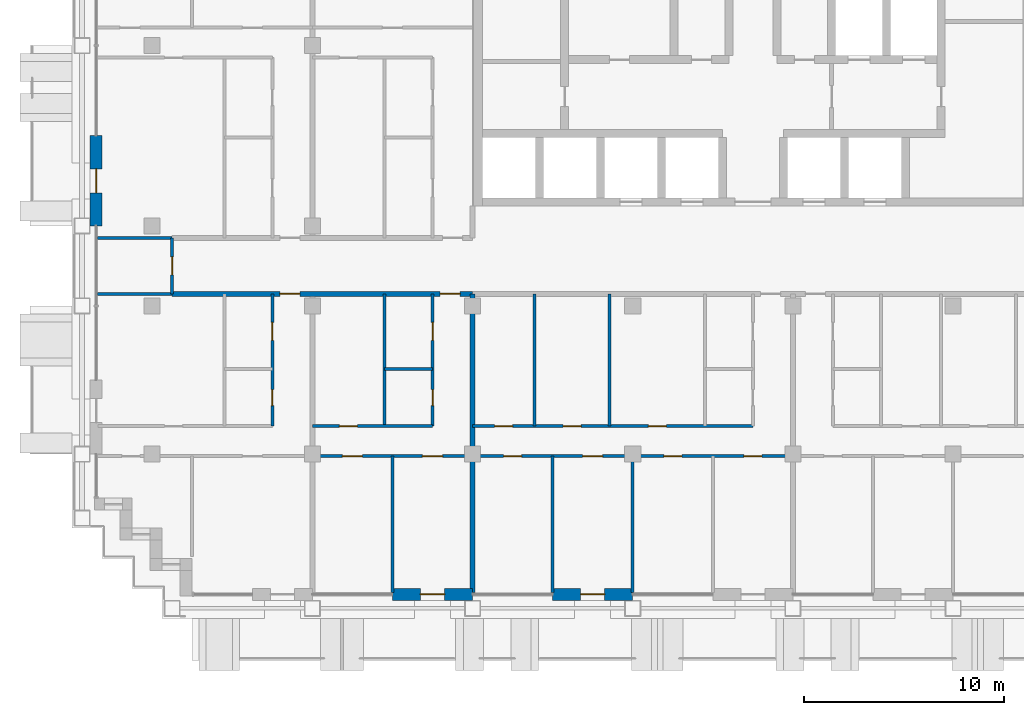
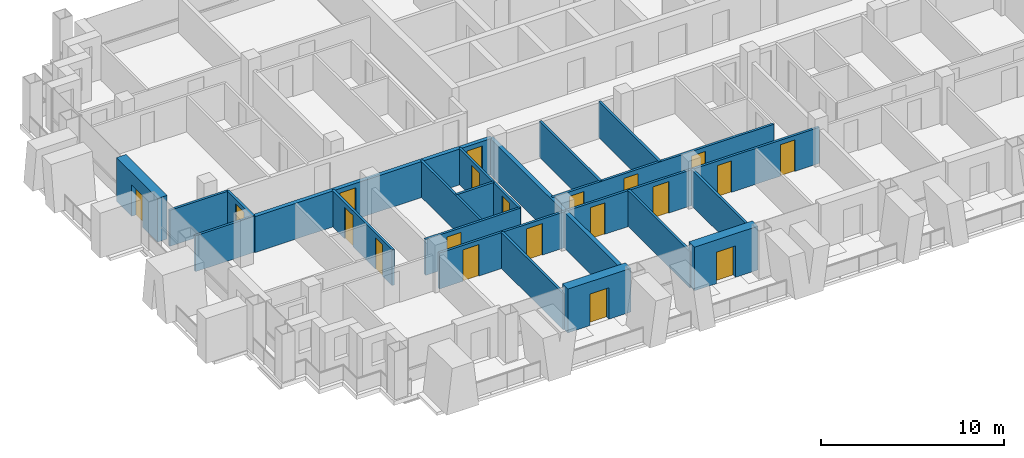
# One storey, part 8 of 18: 21 walls, 20 doors, 20 openings.
"""IFC4 building model written with IfcOpenShell, lengths in metres."""

import ifcopenshell
import ifcopenshell.guid

model = None  # the IFC model being written
_history = None  # IfcOwnerHistory: only IFC2X3 demands one
_inside = {}  # id of a spatial element -> (the spatial element, [elements in it])
_under = {}  # id of a project, library or spatial element -> (it, [spatial elements below it])
_declared = {}  # id of a project -> (the project, [libraries it declares])
_typed = {}  # id of a type object -> (the type object, [elements of that type])
_made_of = {}  # id of a material, layer set ... -> (it, [elements and type objects made of it])


def new_model(schema):
    """Start an empty IFC model of exactly this schema.

    Asked for "IFC4X3", IfcOpenShell would pick the latest addendum, in which some entities
    have other attributes; the version numbers below select the first issue.
    IFC2X3 requires an IfcOwnerHistory on every rooted entity: one is made here for all.
    """
    global model, _history
    if schema == "IFC4X3":
        model = ifcopenshell.file(schema_version=(4, 3, 0, 0))
    else:
        model = ifcopenshell.file(schema=schema)
    _inside.clear()
    _under.clear()
    _declared.clear()
    _typed.clear()
    _made_of.clear()
    _history = None
    if model.schema == "IFC2X3":
        org = make("IfcOrganization", Name="unknown")
        user = make(
            "IfcPersonAndOrganization",
            ThePerson=make("IfcPerson", FamilyName="unknown"),
            TheOrganization=org,
        )
        app = make(
            "IfcApplication",
            ApplicationDeveloper=org,
            Version="unknown",
            ApplicationFullName="unknown",
            ApplicationIdentifier="unknown",
        )
        _history = make(
            "IfcOwnerHistory",
            OwningUser=user,
            OwningApplication=app,
            ChangeAction="ADDED",
            CreationDate=0,
        )
    return model


def make(cls, **values):
    """One entity of the class cls with the attributes given. An attribute that is None is left unset."""
    return model.create_entity(
        cls, **{name: value for name, value in values.items() if value is not None}
    )


def rooted(cls, **values):
    """An entity with a GlobalId (a new one), such as an element, a storey or a relation."""
    return make(cls, GlobalId=ifcopenshell.guid.new(), OwnerHistory=_history, **values)


def si_unit(unit_type, name, prefix=None):
    """IfcSIUnit, for example si_unit("LENGTHUNIT", "METRE", prefix="MILLI")."""
    return make("IfcSIUnit", UnitType=unit_type, Prefix=prefix, Name=name)


def assignment(units):
    """IfcUnitAssignment: the units of a project."""
    return None if units is None else make("IfcUnitAssignment", Units=units)


def point(xyz):
    """IfcCartesianPoint."""
    return None if xyz is None else make("IfcCartesianPoint", Coordinates=xyz)


def direction(xyz):
    """IfcDirection."""
    return None if xyz is None else make("IfcDirection", DirectionRatios=xyz)


def frame(location, z_axis=None, x_axis=None):
    """IfcAxis2Placement3D, a coordinate frame: its origin and axes. An axis left out is left unset."""
    return make(
        "IfcAxis2Placement3D",
        Location=point(location),
        Axis=direction(z_axis),
        RefDirection=direction(x_axis),
    )


def frame_2d(location, x_axis=None):
    """IfcAxis2Placement2D, a coordinate frame in the plane: its origin and x axis."""
    return make(
        "IfcAxis2Placement2D", Location=point(location), RefDirection=direction(x_axis)
    )


def origin():
    """The frame at (0, 0, 0) with its axes left unset."""
    return frame((0.0, 0.0, 0.0))


def place(relative_to, where):
    """IfcLocalPlacement: puts the frame where relative to a parent placement (None: the world)."""
    return make(
        "IfcLocalPlacement", PlacementRelTo=relative_to, RelativePlacement=where
    )


def context(
    kind, dimensions, precision=None, world=None, true_north=None, identifier=None
):
    """IfcGeometricRepresentationContext, for example the 3D "Model" context."""
    return make(
        "IfcGeometricRepresentationContext",
        ContextIdentifier=identifier,
        ContextType=kind,
        CoordinateSpaceDimension=dimensions,
        Precision=precision,
        WorldCoordinateSystem=world,
        TrueNorth=true_north,
    )


def subcontext(parent, identifier, kind, view, scale=None):
    """IfcGeometricRepresentationSubContext, for example "Body" below "Model"."""
    return make(
        "IfcGeometricRepresentationSubContext",
        ContextIdentifier=identifier,
        ContextType=kind,
        ParentContext=parent,
        TargetScale=scale,
        TargetView=view,
    )


def project(units=None, contexts=None):
    """IfcProject with its units and contexts."""
    return rooted(
        "IfcProject",
        Name="project",
        RepresentationContexts=contexts,
        UnitsInContext=assignment(units),
    )


def spatial(cls, under=None, at=None, **own):
    """A site, building, storey or space (cls), placed at a placement, below another one or the project."""
    s = rooted(cls, ObjectPlacement=at, **own)
    if under is not None:
        _under.setdefault(under.id(), (under, []))[1].append(s)
    return s


def profile(cls, at=None, kind="AREA", **sizes):
    """A parametric profile (cls). Its sizes go by their IFC names, for example OverallWidth=200.0."""
    return make(cls, ProfileType=kind, Position=at, **sizes)


def rectangle(**sizes):
    """IfcRectangleProfileDef."""
    return profile("IfcRectangleProfileDef", **sizes)


def extrude(swept, where, along, depth):
    """IfcExtrudedAreaSolid: the profile swept, set in the frame where, extruded along a direction by depth."""
    return make(
        "IfcExtrudedAreaSolid",
        SweptArea=swept,
        Position=where,
        ExtrudedDirection=direction(along),
        Depth=depth,
    )


def shape(context_of_items, identifier, shape_type, items):
    """IfcShapeRepresentation: the items that make up one representation, for example the "Body"."""
    return make(
        "IfcShapeRepresentation",
        ContextOfItems=context_of_items,
        RepresentationIdentifier=identifier,
        RepresentationType=shape_type,
        Items=items,
    )


def material(Name=None, Category=None):
    """IfcMaterial."""
    return make("IfcMaterial", Name=Name, Category=Category)


def layer(
    of_material, thickness, ventilated=None, Name=None, Category=None, Priority=None
):
    """IfcMaterialLayer: one layer of a wall or slab, of a material (None: an air gap)."""
    return make(
        "IfcMaterialLayer",
        Material=of_material,
        LayerThickness=thickness,
        IsVentilated=ventilated,
        Name=Name,
        Category=Category,
        Priority=Priority,
    )


def layer_set(layers, Name=None):
    """IfcMaterialLayerSet."""
    return make("IfcMaterialLayerSet", MaterialLayers=layers, LayerSetName=Name)


def made_of(thing, what):
    """Note that an element or type object is made of a material, layer set ...; save() writes the relation."""
    if what is not None:
        _made_of.setdefault(what.id(), (what, []))[1].append(thing)
    return thing


def type_object(cls, material=None, **own):
    """A type object (cls), such as IfcWallType, which elements share."""
    return made_of(rooted(cls, **own), material)


def element(
    cls,
    number,
    at=None,
    inside=None,
    cuts=None,
    type_object=None,
    material=None,
    context=None,
    identifier="Body",
    shape_type=None,
    held_by="IfcProductDefinitionShape",
    body=None,
    shapes=None,
    **own,
):
    """One element of the class cls, such as IfcWall. Its Tag is "e" and its number.

    at: its placement. inside: the storey or other place that contains it. cuts: it is an
    opening in that element (IfcRelVoidsElement). A single representation is given by context,
    identifier, shape_type and body (its items); several are given by shapes. held_by: the class
    of the entity that holds the representations. save() writes the other relations.
    """
    e = rooted(cls, Tag="e%d" % number, ObjectPlacement=at, **own)
    if body is not None:
        shapes = [shape(context, identifier, shape_type, body)]
    if shapes is not None:
        e.Representation = make(held_by, Representations=shapes)
    if inside is not None:
        _inside.setdefault(inside.id(), (inside, []))[1].append(e)
    if cuts is not None:
        rooted(
            "IfcRelVoidsElement", RelatingBuildingElement=cuts, RelatedOpeningElement=e
        )
    if type_object is not None:
        _typed.setdefault(type_object.id(), (type_object, []))[1].append(e)
    return made_of(e, material)


def fill(opening, filler):
    """IfcRelFillsElement: the door or window that sits in an opening."""
    return rooted(
        "IfcRelFillsElement",
        RelatingOpeningElement=opening,
        RelatedBuildingElement=filler,
    )


def aggregate(whole, parts):
    """IfcRelAggregates: a whole, such as a stair, and the parts it consists of."""
    return rooted("IfcRelAggregates", RelatingObject=whole, RelatedObjects=parts)


def save(model, path):
    """Write the relations noted so far, then the file.

    IfcRelAggregates (storeys below a building ...), IfcRelContainedInSpatialStructure (elements
    in a storey), IfcRelDefinesByType, IfcRelAssociatesMaterial and IfcRelDeclares: one each for
    every whole, place, type object, material and project.
    """
    for whole, parts in _under.values():
        aggregate(whole, parts)
    for where, things in _inside.values():
        rooted(
            "IfcRelContainedInSpatialStructure",
            RelatedElements=things,
            RelatingStructure=where,
        )
    for kind, things in _typed.values():
        rooted("IfcRelDefinesByType", RelatedObjects=things, RelatingType=kind)
    for what, things in _made_of.values():
        rooted("IfcRelAssociatesMaterial", RelatedObjects=things, RelatingMaterial=what)
    for by, libraries in _declared.values():
        rooted("IfcRelDeclares", RelatingContext=by, RelatedDefinitions=libraries)
    model.write(path)


model = new_model("IFC4")

# Units and contexts
model_context = context("Model", 3, precision=1e-05, world=origin(), true_north=direction((0.0, 1.0)))
body_context = subcontext(model_context, "Body", "Model", "MODEL_VIEW")
ifc_project = project(units=[si_unit("LENGTHUNIT", "METRE"), si_unit("AREAUNIT", "SQUARE_METRE"), si_unit("VOLUMEUNIT", "CUBIC_METRE"), si_unit("PLANEANGLEUNIT", "RADIAN"), si_unit("MASSUNIT", "GRAM", prefix="KILO")], contexts=[model_context])

# Site, building, storey
site_placement = place(None, origin())
site = spatial("IfcSite", under=ifc_project, at=site_placement, CompositionType="ELEMENT")
building_placement = place(site_placement, origin())
building = spatial("IfcBuilding", under=site, at=building_placement, Name="Vidyagriha Tower", CompositionType="ELEMENT")
storey_placement = place(building_placement, frame((0.0, 0.0, 123.0)))
storey = spatial("IfcBuildingStorey", under=building, at=storey_placement, Name="L31", CompositionType="ELEMENT", Elevation=123.0)

# Wall, opening, door
ifc_material_1 = material(Name="Precast concrete C40/50 with brick facing", Category="concrete")
ifc_layer_1 = layer(ifc_material_1, 0.60009765625)
ifc_layer_set_1 = layer_set([ifc_layer_1], Name="Precast concrete C40/50 with brick facing")
wall_type_1 = type_object("IfcWallType", Name="Brick-faced precast wall 600", PredefinedType="STANDARD", material=ifc_layer_set_1)
wall_1_placement = place(storey_placement, frame((-32.800048828125, 6.5, 0.0), z_axis=(0.0, 0.0, 1.0), x_axis=(0.0, -1.0, 0.0)))
wall_1 = element("IfcWall", 1, at=wall_1_placement, inside=storey, type_object=wall_type_1, Name="Brick door bay wall L31 R16.3", PredefinedType="STANDARD", context=body_context, shape_type="SweptSolid", body=[
    extrude(rectangle(XDim=4.5, YDim=0.60009765625, at=frame_2d((2.25, 0.0))), origin(), (0.0, 0.0, 1.0), 2.919921875),
])
opening_1_placement = place(wall_1_placement, frame((1.64990234375, 0.0, 0.0)))
opening_1 = element("IfcOpeningElement", 2, at=opening_1_placement, cuts=wall_1, Name="Opening D31-73", PredefinedType="OPENING", context=body_context, shape_type="SweptSolid", body=[
    extrude(rectangle(XDim=1.199951171875, YDim=2.10009765625, at=frame_2d((0.60009765625, 1.050048828125))), frame((0.0, 0.31005859375, 0.0), z_axis=(0.0, -1.0, 0.0), x_axis=(1.0, 0.0, 0.0)), (0.0, 0.0, 1.0), 0.6201171875),
])
ifc_material_2 = material(Name="Aluminium framed glazed sliding door", Category="aluminium")
door_type_1 = type_object("IfcDoorType", Name="Balcony sliding door 1200x2100", OperationType="NOTDEFINED", PredefinedType="DOOR", material=ifc_material_2)
door_1_placement = place(opening_1_placement, origin())
door_1 = element("IfcDoor", 3, at=door_1_placement, inside=storey, type_object=door_type_1, Name="Door D31-73", OperationType="SLIDING_TO_LEFT", OverallHeight=2.10009765625, OverallWidth=1.199951171875, PredefinedType="DOOR", context=body_context, shape_type="SweptSolid", body=[
    extrude(rectangle(XDim=1.199951171875, YDim=2.10009765625, at=frame_2d((0.60009765625, 1.050048828125))), frame((0.0, 0.02490234375, 0.0), z_axis=(0.0, -1.0, 0.0), x_axis=(1.0, 0.0, 0.0)), (0.0, 0.0, 1.0), 0.050048828125),
])
fill(opening_1, door_1)

wall_2_placement = place(storey_placement, frame((-18.0, -16.39990234375, 0.0)))
wall_2 = element("IfcWall", 4, at=wall_2_placement, inside=storey, type_object=wall_type_1, Name="Brick door bay wall L31 R23.4", PredefinedType="STANDARD", context=body_context, shape_type="SweptSolid", body=[
    extrude(rectangle(XDim=4.0, YDim=0.60009765625, at=frame_2d((2.0, 0.0))), origin(), (0.0, 0.0, 1.0), 2.919921875),
])
opening_2_placement = place(wall_2_placement, frame((1.39990234375, 0.0, 0.0)))
opening_2 = element("IfcOpeningElement", 5, at=opening_2_placement, cuts=wall_2, Name="Opening D31-76", PredefinedType="OPENING", context=body_context, shape_type="SweptSolid", body=[
    extrude(rectangle(XDim=1.199951171875, YDim=2.10009765625, at=frame_2d((0.60009765625, 1.050048828125))), frame((0.0, 0.31005859375, 0.0), z_axis=(0.0, -1.0, 0.0), x_axis=(1.0, 0.0, 0.0)), (0.0, 0.0, 1.0), 0.6201171875),
])
door_2_placement = place(opening_2_placement, origin())
door_2 = element("IfcDoor", 6, at=door_2_placement, inside=storey, type_object=door_type_1, Name="Door D31-76", OperationType="SLIDING_TO_LEFT", OverallHeight=2.10009765625, OverallWidth=1.199951171875, PredefinedType="DOOR", context=body_context, shape_type="SweptSolid", body=[
    extrude(rectangle(XDim=1.199951171875, YDim=2.10009765625, at=frame_2d((0.60009765625, 1.050048828125))), frame((0.0, 0.02490234375, 0.0), z_axis=(0.0, -1.0, 0.0), x_axis=(1.0, 0.0, 0.0)), (0.0, 0.0, 1.0), 0.050048828125),
])
fill(opening_2, door_2)

wall_3_placement = place(storey_placement, frame((-10.0, -16.39990234375, 0.0)))
wall_3 = element("IfcWall", 7, at=wall_3_placement, inside=storey, type_object=wall_type_1, Name="Brick door bay wall L31 R23.6", PredefinedType="STANDARD", context=body_context, shape_type="SweptSolid", body=[
    extrude(rectangle(XDim=4.0, YDim=0.60009765625, at=frame_2d((2.0, 0.0))), origin(), (0.0, 0.0, 1.0), 2.919921875),
])
opening_3_placement = place(wall_3_placement, frame((1.39990234375, 0.0, 0.0)))
opening_3 = element("IfcOpeningElement", 8, at=opening_3_placement, cuts=wall_3, Name="Opening D31-77", PredefinedType="OPENING", context=body_context, shape_type="SweptSolid", body=[
    extrude(rectangle(XDim=1.199951171875, YDim=2.10009765625, at=frame_2d((0.60009765625, 1.050048828125))), frame((0.0, 0.31005859375, 0.0), z_axis=(0.0, -1.0, 0.0), x_axis=(1.0, 0.0, 0.0)), (0.0, 0.0, 1.0), 0.6201171875),
])
door_3_placement = place(opening_3_placement, origin())
door_3 = element("IfcDoor", 9, at=door_3_placement, inside=storey, type_object=door_type_1, Name="Door D31-77", OperationType="SLIDING_TO_LEFT", OverallHeight=2.10009765625, OverallWidth=1.199951171875, PredefinedType="DOOR", context=body_context, shape_type="SweptSolid", body=[
    extrude(rectangle(XDim=1.199951171875, YDim=2.10009765625, at=frame_2d((0.60009765625, 1.050048828125))), frame((0.0, 0.02490234375, 0.0), z_axis=(0.0, -1.0, 0.0), x_axis=(1.0, 0.0, 0.0)), (0.0, 0.0, 1.0), 0.050048828125),
])
fill(opening_3, door_3)

# Wall, openings, doors
ifc_material_3 = material(Name="Fired clay brick masonry", Category="masonry")
ifc_layer_2 = layer(ifc_material_3, 0.25)
ifc_layer_set_2 = layer_set([ifc_layer_2], Name="Fired clay brick masonry")
wall_type_2 = type_object("IfcWallType", Name="Fired clay brick corridor wall 250", PredefinedType="PARTITIONING", material=ifc_layer_set_2)
wall_4_placement = place(storey_placement, frame((-14.0, -1.39990234375, 0.0), z_axis=(0.0, 0.0, 1.0), x_axis=(-1.0, 0.0, 0.0)))
wall_4 = element("IfcWall", 10, at=wall_4_placement, inside=storey, type_object=wall_type_2, Name="Wall all-L31-w081", PredefinedType="PARTITIONING", context=body_context, shape_type="SweptSolid", body=[
    extrude(rectangle(XDim=15.0, YDim=0.25, at=frame_2d((7.5, 0.0))), origin(), (0.0, 0.0, 1.0), 2.39990234375),
])
opening_4_placement = place(wall_4_placement, frame((8.617919921875, 0.0, 0.0)))
opening_4 = element("IfcOpeningElement", 11, at=opening_4_placement, cuts=wall_4, Name="Opening D31-18", PredefinedType="OPENING", context=body_context, shape_type="SweptSolid", body=[
    extrude(rectangle(XDim=1.0, YDim=2.10009765625, at=frame_2d((0.5, 1.050048828125))), frame((0.0, 0.135009765625, 0.0), z_axis=(0.0, -1.0, 0.0), x_axis=(1.0, 0.0, 0.0)), (0.0, 0.0, 1.0), 0.27001953125),
])
opening_5_placement = place(wall_4_placement, frame((0.617919921875, 0.0, 0.0)))
opening_5 = element("IfcOpeningElement", 12, at=opening_5_placement, cuts=wall_4, Name="Opening D31-24", PredefinedType="OPENING", context=body_context, shape_type="SweptSolid", body=[
    extrude(rectangle(XDim=1.0, YDim=2.10009765625, at=frame_2d((0.5, 1.050048828125))), frame((0.0, 0.135009765625, 0.0), z_axis=(0.0, -1.0, 0.0), x_axis=(1.0, 0.0, 0.0)), (0.0, 0.0, 1.0), 0.27001953125),
])
ifc_material_4 = material(Name="Fire-rated timber door leaf EI 60", Category="wood")
door_type_2 = type_object("IfcDoorType", Name="Flat entrance fire door 1000x2100", OperationType="NOTDEFINED", PredefinedType="DOOR", material=ifc_material_4)
door_4_placement = place(opening_4_placement, origin())
door_4 = element("IfcDoor", 13, at=door_4_placement, inside=storey, type_object=door_type_2, Name="Door D31-18", OperationType="SINGLE_SWING_LEFT", OverallHeight=2.10009765625, OverallWidth=1.0, PredefinedType="DOOR", context=body_context, shape_type="SweptSolid", body=[
    extrude(rectangle(XDim=1.0, YDim=2.10009765625, at=frame_2d((0.5, 1.050048828125))), frame((0.0, 0.02490234375, 0.0), z_axis=(0.0, -1.0, 0.0), x_axis=(1.0, 0.0, 0.0)), (0.0, 0.0, 1.0), 0.050048828125),
])
fill(opening_4, door_4)
door_5_placement = place(opening_5_placement, origin())
door_5 = element("IfcDoor", 14, at=door_5_placement, inside=storey, type_object=door_type_2, Name="Door D31-24", OperationType="SINGLE_SWING_LEFT", OverallHeight=2.10009765625, OverallWidth=1.0, PredefinedType="DOOR", context=body_context, shape_type="SweptSolid", body=[
    extrude(rectangle(XDim=1.0, YDim=2.10009765625, at=frame_2d((0.5, 1.050048828125))), frame((0.0, 0.02490234375, 0.0), z_axis=(0.0, -1.0, 0.0), x_axis=(1.0, 0.0, 0.0)), (0.0, 0.0, 1.0), 0.050048828125),
])
fill(opening_5, door_5)

# Walls
ifc_material_5 = material(Name="Fired clay brick masonry", Category="masonry")
ifc_layer_3 = layer(ifc_material_5, 0.25)
ifc_layer_set_3 = layer_set([ifc_layer_3], Name="Fired clay brick masonry")
wall_type_3 = type_object("IfcWallType", Name="Fired clay brick demising wall 250", PredefinedType="PARTITIONING", material=ifc_layer_set_3)
wall_5_placement = place(storey_placement, frame((-14.0, -1.39990234375, 0.0), z_axis=(0.0, 0.0, 1.0), x_axis=(0.0, -1.0, 0.0)))
element("IfcWall", 15, at=wall_5_placement, inside=storey, type_object=wall_type_3, Name="Wall all-L31-w046", PredefinedType="PARTITIONING", context=body_context, shape_type="SweptSolid", body=[
    extrude(rectangle(XDim=14.91015625, YDim=0.25, at=frame_2d((7.455078125, 0.0))), origin(), (0.0, 0.0, 1.0), 2.39990234375),
])
ifc_material_6 = material(Name="Gypsum board partition")
ifc_layer_4 = layer(ifc_material_6, 0.14990234375)
ifc_layer_set_4 = layer_set([ifc_layer_4], Name="Gypsum board partition")
wall_type_4 = type_object("IfcWallType", Name="Gypsum board partition 150", PredefinedType="PARTITIONING", material=ifc_layer_set_4)
wall_6_placement = place(storey_placement, frame((-16.0, -5.14990234375, 0.0), z_axis=(0.0, 0.0, 1.0), x_axis=(-1.0, 0.0, 0.0)))
element("IfcWall", 16, at=wall_6_placement, inside=storey, type_object=wall_type_4, Name="Wall all-L31-w016", PredefinedType="PARTITIONING", context=body_context, shape_type="SweptSolid", body=[
    extrude(rectangle(XDim=2.39990234375, YDim=0.14990234375, at=frame_2d((1.199951171875, 0.0))), origin(), (0.0, 0.0, 1.0), 2.39990234375),
])
wall_7_placement = place(storey_placement, frame((-18.39990234375, -8.0, 0.0), z_axis=(0.0, 0.0, 1.0), x_axis=(0.0, 1.0, 0.0)))
element("IfcWall", 17, at=wall_7_placement, inside=storey, type_object=wall_type_4, Name="Wall all-L31-w017", PredefinedType="PARTITIONING", context=body_context, shape_type="SweptSolid", body=[
    extrude(rectangle(XDim=6.60009765625, YDim=0.14990234375, at=frame_2d((3.300048828125, 0.0))), origin(), (0.0, 0.0, 1.0), 2.39990234375),
])

# Wall, opening, door
wall_8_placement = place(storey_placement, frame((-22.0, -8.0, 0.0)))
wall_8 = element("IfcWall", 18, at=wall_8_placement, inside=storey, type_object=wall_type_4, Name="Wall all-L31-w018", PredefinedType="PARTITIONING", context=body_context, shape_type="SweptSolid", body=[
    extrude(rectangle(XDim=6.0, YDim=0.14990234375, at=frame_2d((3.0, 0.0))), origin(), (0.0, 0.0, 1.0), 2.39990234375),
])
opening_6_placement = place(wall_8_placement, frame((1.35009765625, 0.0, 0.0)))
opening_6 = element("IfcOpeningElement", 19, at=opening_6_placement, cuts=wall_8, Name="Opening D31-21", PredefinedType="OPENING", context=body_context, shape_type="SweptSolid", body=[
    extrude(rectangle(XDim=0.89990234375, YDim=2.10009765625, at=frame_2d((0.449951171875, 1.050048828125))), frame((0.0, 0.0849609375, 0.0), z_axis=(0.0, -1.0, 0.0), x_axis=(1.0, 0.0, 0.0)), (0.0, 0.0, 1.0), 0.169921875),
])
ifc_material_7 = material(Name="Timber door leaf", Category="wood")
door_type_3 = type_object("IfcDoorType", Name="Room door 900x2100", OperationType="NOTDEFINED", PredefinedType="DOOR", material=ifc_material_7)
door_6_placement = place(opening_6_placement, origin())
door_6 = element("IfcDoor", 20, at=door_6_placement, inside=storey, type_object=door_type_3, Name="Door D31-21", OperationType="SINGLE_SWING_RIGHT", OverallHeight=2.10009765625, OverallWidth=0.89990234375, PredefinedType="DOOR", context=body_context, shape_type="SweptSolid", body=[
    extrude(rectangle(XDim=0.89990234375, YDim=2.10009765625, at=frame_2d((0.449951171875, 1.050048828125))), frame((0.0, 0.02490234375, 0.0), z_axis=(0.0, -1.0, 0.0), x_axis=(1.0, 0.0, 0.0)), (0.0, 0.0, 1.0), 0.050048828125),
])
fill(opening_6, door_6)

# Wall, openings, doors
wall_9_placement = place(storey_placement, frame((-14.0, -9.5, 0.0), z_axis=(0.0, 0.0, 1.0), x_axis=(-1.0, 0.0, 0.0)))
wall_9 = element("IfcWall", 21, at=wall_9_placement, inside=storey, type_object=wall_type_4, Name="Wall all-L31-w020", PredefinedType="PARTITIONING", context=body_context, shape_type="SweptSolid", body=[
    extrude(rectangle(XDim=8.0, YDim=0.14990234375, at=frame_2d((4.0, 0.0))), origin(), (0.0, 0.0, 1.0), 2.39990234375),
])
opening_7_placement = place(wall_9_placement, frame((5.5, 0.0, 0.0)))
opening_7 = element("IfcOpeningElement", 22, at=opening_7_placement, cuts=wall_9, Name="Opening D31-22", PredefinedType="OPENING", context=body_context, shape_type="SweptSolid", body=[
    extrude(rectangle(XDim=1.0, YDim=2.10009765625, at=frame_2d((0.5, 1.050048828125))), frame((0.0, 0.0849609375, 0.0), z_axis=(0.0, -1.0, 0.0), x_axis=(1.0, 0.0, 0.0)), (0.0, 0.0, 1.0), 0.169921875),
])
opening_8_placement = place(wall_9_placement, frame((1.5, 0.0, 0.0)))
opening_8 = element("IfcOpeningElement", 23, at=opening_8_placement, cuts=wall_9, Name="Opening D31-23", PredefinedType="OPENING", context=body_context, shape_type="SweptSolid", body=[
    extrude(rectangle(XDim=1.0, YDim=2.10009765625, at=frame_2d((0.5, 1.050048828125))), frame((0.0, 0.0849609375, 0.0), z_axis=(0.0, -1.0, 0.0), x_axis=(1.0, 0.0, 0.0)), (0.0, 0.0, 1.0), 0.169921875),
])
ifc_material_8 = material(Name="Timber door leaf", Category="wood")
door_type_4 = type_object("IfcDoorType", Name="Room door 1000x2100", OperationType="NOTDEFINED", PredefinedType="DOOR", material=ifc_material_8)
door_7_placement = place(opening_7_placement, origin())
door_7 = element("IfcDoor", 24, at=door_7_placement, inside=storey, type_object=door_type_4, Name="Door D31-22", OperationType="SINGLE_SWING_RIGHT", OverallHeight=2.10009765625, OverallWidth=1.0, PredefinedType="DOOR", context=body_context, shape_type="SweptSolid", body=[
    extrude(rectangle(XDim=1.0, YDim=2.10009765625, at=frame_2d((0.5, 1.050048828125))), frame((0.0, 0.02490234375, 0.0), z_axis=(0.0, -1.0, 0.0), x_axis=(1.0, 0.0, 0.0)), (0.0, 0.0, 1.0), 0.050048828125),
])
fill(opening_7, door_7)
door_8_placement = place(opening_8_placement, origin())
door_8 = element("IfcDoor", 25, at=door_8_placement, inside=storey, type_object=door_type_4, Name="Door D31-23", OperationType="SINGLE_SWING_RIGHT", OverallHeight=2.10009765625, OverallWidth=1.0, PredefinedType="DOOR", context=body_context, shape_type="SweptSolid", body=[
    extrude(rectangle(XDim=1.0, YDim=2.10009765625, at=frame_2d((0.5, 1.050048828125))), frame((0.0, 0.02490234375, 0.0), z_axis=(0.0, -1.0, 0.0), x_axis=(1.0, 0.0, 0.0)), (0.0, 0.0, 1.0), 0.050048828125),
])
fill(opening_8, door_8)

# Walls
wall_10_placement = place(storey_placement, frame((-18.0, -9.5, 0.0), z_axis=(0.0, 0.0, 1.0), x_axis=(0.0, -1.0, 0.0)))
element("IfcWall", 26, at=wall_10_placement, inside=storey, type_object=wall_type_4, Name="Wall all-L31-w023", PredefinedType="PARTITIONING", context=body_context, shape_type="SweptSolid", body=[
    extrude(rectangle(XDim=6.821044921875, YDim=0.14990234375, at=frame_2d((3.41064453125, 0.0))), origin(), (0.0, 0.0, 1.0), 2.39990234375),
])
for number, where, z_axis, x_axis, name in (
    (27, (-7.14990234375, -8.0, 0.0), (0.0, 0.0, 1.0), (0.0, 1.0, 0.0), "Wall all-L31-w031"),
    (28, (-10.89990234375, -8.0, 0.0), (0.0, 0.0, 1.0), (0.0, 1.0, 0.0), "Wall all-L31-w032"),
):
    element("IfcWall", number, at=place(storey_placement, frame(where, z_axis=z_axis, x_axis=x_axis)), inside=storey, type_object=wall_type_4, Name=name, PredefinedType="PARTITIONING", context=body_context, shape_type="SweptSolid", body=[
        extrude(rectangle(XDim=6.60009765625, YDim=0.14990234375, at=frame_2d((3.300048828125, 0.0))), origin(), (0.0, 0.0, 1.0), 2.39990234375),
    ])

# Wall, openings, doors
wall_11_placement = place(storey_placement, frame((-14.0, -8.0, 0.0)))
wall_11 = element("IfcWall", 29, at=wall_11_placement, inside=storey, type_object=wall_type_4, Name="Wall all-L31-w033", PredefinedType="PARTITIONING", context=body_context, shape_type="SweptSolid", body=[
    extrude(rectangle(XDim=14.0, YDim=0.14990234375, at=frame_2d((7.0, 0.0))), origin(), (0.0, 0.0, 1.0), 2.39990234375),
])
opening_9_placement = place(wall_11_placement, frame((8.77490234375, 0.0, 0.0)))
opening_9 = element("IfcOpeningElement", 30, at=opening_9_placement, cuts=wall_11, Name="Opening D31-27", PredefinedType="OPENING", context=body_context, shape_type="SweptSolid", body=[
    extrude(rectangle(XDim=0.89990234375, YDim=2.10009765625, at=frame_2d((0.449951171875, 1.050048828125))), frame((0.0, 0.0849609375, 0.0), z_axis=(0.0, -1.0, 0.0), x_axis=(1.0, 0.0, 0.0)), (0.0, 0.0, 1.0), 0.169921875),
])
opening_10_placement = place(wall_11_placement, frame((4.52490234375, 0.0, 0.0)))
opening_10 = element("IfcOpeningElement", 31, at=opening_10_placement, cuts=wall_11, Name="Opening D31-28", PredefinedType="OPENING", context=body_context, shape_type="SweptSolid", body=[
    extrude(rectangle(XDim=0.89990234375, YDim=2.10009765625, at=frame_2d((0.449951171875, 1.050048828125))), frame((0.0, 0.0849609375, 0.0), z_axis=(0.0, -1.0, 0.0), x_axis=(1.0, 0.0, 0.0)), (0.0, 0.0, 1.0), 0.169921875),
])
opening_11_placement = place(wall_11_placement, frame((1.10009765625, 0.0, 0.0)))
opening_11 = element("IfcOpeningElement", 32, at=opening_11_placement, cuts=wall_11, Name="Opening D31-29", PredefinedType="OPENING", context=body_context, shape_type="SweptSolid", body=[
    extrude(rectangle(XDim=0.89990234375, YDim=2.10009765625, at=frame_2d((0.449951171875, 1.050048828125))), frame((0.0, 0.0849609375, 0.0), z_axis=(0.0, -1.0, 0.0), x_axis=(1.0, 0.0, 0.0)), (0.0, 0.0, 1.0), 0.169921875),
])
door_9_placement = place(opening_9_placement, origin())
door_9 = element("IfcDoor", 33, at=door_9_placement, inside=storey, type_object=door_type_3, Name="Door D31-27", OperationType="SINGLE_SWING_LEFT", OverallHeight=2.10009765625, OverallWidth=0.89990234375, PredefinedType="DOOR", context=body_context, shape_type="SweptSolid", body=[
    extrude(rectangle(XDim=0.89990234375, YDim=2.10009765625, at=frame_2d((0.449951171875, 1.050048828125))), frame((0.0, 0.02490234375, 0.0), z_axis=(0.0, -1.0, 0.0), x_axis=(1.0, 0.0, 0.0)), (0.0, 0.0, 1.0), 0.050048828125),
])
fill(opening_9, door_9)
door_10_placement = place(opening_10_placement, origin())
door_10 = element("IfcDoor", 34, at=door_10_placement, inside=storey, type_object=door_type_3, Name="Door D31-28", OperationType="SINGLE_SWING_RIGHT", OverallHeight=2.10009765625, OverallWidth=0.89990234375, PredefinedType="DOOR", context=body_context, shape_type="SweptSolid", body=[
    extrude(rectangle(XDim=0.89990234375, YDim=2.10009765625, at=frame_2d((0.449951171875, 1.050048828125))), frame((0.0, 0.02490234375, 0.0), z_axis=(0.0, -1.0, 0.0), x_axis=(1.0, 0.0, 0.0)), (0.0, 0.0, 1.0), 0.050048828125),
])
fill(opening_10, door_10)
door_11_placement = place(opening_11_placement, origin())
door_11 = element("IfcDoor", 35, at=door_11_placement, inside=storey, type_object=door_type_3, Name="Door D31-29", OperationType="SINGLE_SWING_RIGHT", OverallHeight=2.10009765625, OverallWidth=0.89990234375, PredefinedType="DOOR", context=body_context, shape_type="SweptSolid", body=[
    extrude(rectangle(XDim=0.89990234375, YDim=2.10009765625, at=frame_2d((0.449951171875, 1.050048828125))), frame((0.0, 0.02490234375, 0.0), z_axis=(0.0, -1.0, 0.0), x_axis=(1.0, 0.0, 0.0)), (0.0, 0.0, 1.0), 0.050048828125),
])
fill(opening_11, door_11)

wall_12_placement = place(storey_placement, frame((2.0, -9.5, 0.0), z_axis=(0.0, 0.0, 1.0), x_axis=(-1.0, 0.0, 0.0)))
wall_12 = element("IfcWall", 36, at=wall_12_placement, inside=storey, type_object=wall_type_4, Name="Wall all-L31-w037", PredefinedType="PARTITIONING", context=body_context, shape_type="SweptSolid", body=[
    extrude(rectangle(XDim=16.0, YDim=0.14990234375, at=frame_2d((8.0, 0.0))), origin(), (0.0, 0.0, 1.0), 2.39990234375),
])
opening_12_placement = place(wall_12_placement, frame((13.550048828125, 0.0, 0.0)))
opening_12 = element("IfcOpeningElement", 37, at=opening_12_placement, cuts=wall_12, Name="Opening D31-30", PredefinedType="OPENING", context=body_context, shape_type="SweptSolid", body=[
    extrude(rectangle(XDim=0.89990234375, YDim=2.10009765625, at=frame_2d((0.449951171875, 1.050048828125))), frame((0.0, 0.0849609375, 0.0), z_axis=(0.0, -1.0, 0.0), x_axis=(1.0, 0.0, 0.0)), (0.0, 0.0, 1.0), 0.169921875),
])
opening_13_placement = place(wall_12_placement, frame((9.5, 0.0, 0.0)))
opening_13 = element("IfcOpeningElement", 38, at=opening_13_placement, cuts=wall_12, Name="Opening D31-31", PredefinedType="OPENING", context=body_context, shape_type="SweptSolid", body=[
    extrude(rectangle(XDim=1.0, YDim=2.10009765625, at=frame_2d((0.5, 1.050048828125))), frame((0.0, 0.0849609375, 0.0), z_axis=(0.0, -1.0, 0.0), x_axis=(1.0, 0.0, 0.0)), (0.0, 0.0, 1.0), 0.169921875),
])
opening_14_placement = place(wall_12_placement, frame((5.550048828125, 0.0, 0.0)))
opening_14 = element("IfcOpeningElement", 39, at=opening_14_placement, cuts=wall_12, Name="Opening D31-32", PredefinedType="OPENING", context=body_context, shape_type="SweptSolid", body=[
    extrude(rectangle(XDim=0.89990234375, YDim=2.10009765625, at=frame_2d((0.449951171875, 1.050048828125))), frame((0.0, 0.0849609375, 0.0), z_axis=(0.0, -1.0, 0.0), x_axis=(1.0, 0.0, 0.0)), (0.0, 0.0, 1.0), 0.169921875),
])
opening_15_placement = place(wall_12_placement, frame((1.550048828125, 0.0, 0.0)))
opening_15 = element("IfcOpeningElement", 40, at=opening_15_placement, cuts=wall_12, Name="Opening D31-33", PredefinedType="OPENING", context=body_context, shape_type="SweptSolid", body=[
    extrude(rectangle(XDim=0.89990234375, YDim=2.10009765625, at=frame_2d((0.449951171875, 1.050048828125))), frame((0.0, 0.0849609375, 0.0), z_axis=(0.0, -1.0, 0.0), x_axis=(1.0, 0.0, 0.0)), (0.0, 0.0, 1.0), 0.169921875),
])
door_12_placement = place(opening_13_placement, origin())
door_12 = element("IfcDoor", 41, at=door_12_placement, inside=storey, type_object=door_type_4, Name="Door D31-31", OperationType="SINGLE_SWING_RIGHT", OverallHeight=2.10009765625, OverallWidth=1.0, PredefinedType="DOOR", context=body_context, shape_type="SweptSolid", body=[
    extrude(rectangle(XDim=1.0, YDim=2.10009765625, at=frame_2d((0.5, 1.050048828125))), frame((0.0, 0.02490234375, 0.0), z_axis=(0.0, -1.0, 0.0), x_axis=(1.0, 0.0, 0.0)), (0.0, 0.0, 1.0), 0.050048828125),
])
fill(opening_13, door_12)
door_13_placement = place(opening_12_placement, origin())
door_13 = element("IfcDoor", 42, at=door_13_placement, inside=storey, type_object=door_type_3, Name="Door D31-30", OperationType="SINGLE_SWING_RIGHT", OverallHeight=2.10009765625, OverallWidth=0.89990234375, PredefinedType="DOOR", context=body_context, shape_type="SweptSolid", body=[
    extrude(rectangle(XDim=0.89990234375, YDim=2.10009765625, at=frame_2d((0.449951171875, 1.050048828125))), frame((0.0, 0.02490234375, 0.0), z_axis=(0.0, -1.0, 0.0), x_axis=(1.0, 0.0, 0.0)), (0.0, 0.0, 1.0), 0.050048828125),
])
fill(opening_12, door_13)
door_14_placement = place(opening_14_placement, origin())
door_14 = element("IfcDoor", 43, at=door_14_placement, inside=storey, type_object=door_type_3, Name="Door D31-32", OperationType="SINGLE_SWING_RIGHT", OverallHeight=2.10009765625, OverallWidth=0.89990234375, PredefinedType="DOOR", context=body_context, shape_type="SweptSolid", body=[
    extrude(rectangle(XDim=0.89990234375, YDim=2.10009765625, at=frame_2d((0.449951171875, 1.050048828125))), frame((0.0, 0.02490234375, 0.0), z_axis=(0.0, -1.0, 0.0), x_axis=(1.0, 0.0, 0.0)), (0.0, 0.0, 1.0), 0.050048828125),
])
fill(opening_14, door_14)
door_15_placement = place(opening_15_placement, origin())
door_15 = element("IfcDoor", 44, at=door_15_placement, inside=storey, type_object=door_type_3, Name="Door D31-33", OperationType="SINGLE_SWING_RIGHT", OverallHeight=2.10009765625, OverallWidth=0.89990234375, PredefinedType="DOOR", context=body_context, shape_type="SweptSolid", body=[
    extrude(rectangle(XDim=0.89990234375, YDim=2.10009765625, at=frame_2d((0.449951171875, 1.050048828125))), frame((0.0, 0.02490234375, 0.0), z_axis=(0.0, -1.0, 0.0), x_axis=(1.0, 0.0, 0.0)), (0.0, 0.0, 1.0), 0.050048828125),
])
fill(opening_15, door_15)

# Walls
wall_13_placement = place(storey_placement, frame((-10.0, -9.5, 0.0), z_axis=(0.0, 0.0, 1.0), x_axis=(0.0, -1.0, 0.0)))
element("IfcWall", 45, at=wall_13_placement, inside=storey, type_object=wall_type_4, Name="Wall all-L31-w042", PredefinedType="PARTITIONING", context=body_context, shape_type="SweptSolid", body=[
    extrude(rectangle(XDim=6.821044921875, YDim=0.14990234375, at=frame_2d((3.41064453125, 0.0))), origin(), (0.0, 0.0, 1.0), 2.39990234375),
])
wall_14_placement = place(storey_placement, frame((-6.0, -9.5, 0.0), z_axis=(0.0, 0.0, 1.0), x_axis=(0.0, -1.0, 0.0)))
element("IfcWall", 46, at=wall_14_placement, inside=storey, type_object=wall_type_4, Name="Wall all-L31-w043", PredefinedType="PARTITIONING", context=body_context, shape_type="SweptSolid", body=[
    extrude(rectangle(XDim=6.81005859375, YDim=0.14990234375, at=frame_2d((3.405029296875, 0.0))), origin(), (0.0, 0.0, 1.0), 2.39990234375),
])
wall_15_placement = place(storey_placement, frame((-29.0, -1.39990234375, 0.0), z_axis=(0.0, 0.0, 1.0), x_axis=(-1.0, 0.0, 0.0)))
element("IfcWall", 47, at=wall_15_placement, inside=storey, type_object=wall_type_4, Name="Wall all-L31-w082", PredefinedType="PARTITIONING", context=body_context, shape_type="SweptSolid", body=[
    extrude(rectangle(XDim=3.719970703125, YDim=0.14990234375, at=frame_2d((1.85986328125, 0.0))), origin(), (0.0, 0.0, 1.0), 2.39990234375),
])
wall_16_placement = place(storey_placement, frame((-32.719970703125, 1.39990234375, 0.0)))
element("IfcWall", 48, at=wall_16_placement, inside=storey, type_object=wall_type_4, Name="Wall all-L31-w109", PredefinedType="PARTITIONING", context=body_context, shape_type="SweptSolid", body=[
    extrude(rectangle(XDim=3.719970703125, YDim=0.14990234375, at=frame_2d((1.85986328125, 0.0))), origin(), (0.0, 0.0, 1.0), 2.39990234375),
])

# Wall, opening, door
wall_17_placement = place(storey_placement, frame((-29.0, 1.39990234375, 0.0), z_axis=(0.0, 0.0, 1.0), x_axis=(0.0, -1.0, 0.0)))
wall_17 = element("IfcWall", 49, at=wall_17_placement, inside=storey, type_object=wall_type_4, Name="Wall all-L31-w130", PredefinedType="PARTITIONING", context=body_context, shape_type="SweptSolid", body=[
    extrude(rectangle(XDim=2.7998046875, YDim=0.14990234375, at=frame_2d((1.39990234375, 0.0))), origin(), (0.0, 0.0, 1.0), 2.39990234375),
])
opening_16_placement = place(wall_17_placement, frame((0.949951171875, 0.0, 0.0)))
opening_16 = element("IfcOpeningElement", 50, at=opening_16_placement, cuts=wall_17, Name="Opening D31-71", PredefinedType="OPENING", context=body_context, shape_type="SweptSolid", body=[
    extrude(rectangle(XDim=0.89990234375, YDim=2.10009765625, at=frame_2d((0.449951171875, 1.050048828125))), frame((0.0, 0.0849609375, 0.0), z_axis=(0.0, -1.0, 0.0), x_axis=(1.0, 0.0, 0.0)), (0.0, 0.0, 1.0), 0.169921875),
])
door_16_placement = place(opening_16_placement, origin())
door_16 = element("IfcDoor", 51, at=door_16_placement, inside=storey, type_object=door_type_3, Name="Door D31-71", OperationType="SINGLE_SWING_RIGHT", OverallHeight=2.10009765625, OverallWidth=0.89990234375, PredefinedType="DOOR", context=body_context, shape_type="SweptSolid", body=[
    extrude(rectangle(XDim=0.89990234375, YDim=2.10009765625, at=frame_2d((0.449951171875, 1.050048828125))), frame((0.0, 0.02490234375, 0.0), z_axis=(0.0, -1.0, 0.0), x_axis=(1.0, 0.0, 0.0)), (0.0, 0.0, 1.0), 0.050048828125),
])
fill(opening_16, door_16)

# Wall, openings, doors
ifc_material_9 = material(Name="Moisture resistant gypsum board partition")
ifc_layer_5 = layer(ifc_material_9, 0.14990234375)
ifc_layer_set_5 = layer_set([ifc_layer_5], Name="Moisture resistant gypsum board partition")
wall_type_5 = type_object("IfcWallType", Name="Gypsum board wet-area partition 150", PredefinedType="PARTITIONING", material=ifc_layer_set_5)
wall_18_placement = place(storey_placement, frame((-24.0, -8.0, 0.0), z_axis=(0.0, 0.0, 1.0), x_axis=(0.0, 1.0, 0.0)))
wall_18 = element("IfcWall", 52, at=wall_18_placement, inside=storey, type_object=wall_type_5, Name="Wall all-L31-w001", PredefinedType="PARTITIONING", context=body_context, shape_type="SweptSolid", body=[
    extrude(rectangle(XDim=6.60009765625, YDim=0.14990234375, at=frame_2d((3.300048828125, 0.0))), origin(), (0.0, 0.0, 1.0), 2.39990234375),
])
opening_17_placement = place(wall_18_placement, frame((4.27490234375, 0.0, 0.0)))
opening_17 = element("IfcOpeningElement", 53, at=opening_17_placement, cuts=wall_18, Name="Opening D31-13", PredefinedType="OPENING", context=body_context, shape_type="SweptSolid", body=[
    extrude(rectangle(XDim=0.89990234375, YDim=2.10009765625, at=frame_2d((0.449951171875, 1.050048828125))), frame((0.0, 0.0849609375, 0.0), z_axis=(0.0, -1.0, 0.0), x_axis=(1.0, 0.0, 0.0)), (0.0, 0.0, 1.0), 0.169921875),
])
opening_18_placement = place(wall_18_placement, frame((1.02490234375, 0.0, 0.0)))
opening_18 = element("IfcOpeningElement", 54, at=opening_18_placement, cuts=wall_18, Name="Opening D31-14", PredefinedType="OPENING", context=body_context, shape_type="SweptSolid", body=[
    extrude(rectangle(XDim=0.800048828125, YDim=2.10009765625, at=frame_2d((0.39990234375, 1.050048828125))), frame((0.0, 0.0849609375, 0.0), z_axis=(0.0, -1.0, 0.0), x_axis=(1.0, 0.0, 0.0)), (0.0, 0.0, 1.0), 0.169921875),
])
ifc_material_10 = material(Name="Timber door leaf", Category="wood")
door_type_5 = type_object("IfcDoorType", Name="Bathroom door 800x2100", OperationType="NOTDEFINED", PredefinedType="DOOR", material=ifc_material_10)
door_17_placement = place(opening_18_placement, origin())
door_17 = element("IfcDoor", 55, at=door_17_placement, inside=storey, type_object=door_type_5, Name="Door D31-14", OperationType="SINGLE_SWING_RIGHT", OverallHeight=2.10009765625, OverallWidth=0.800048828125, PredefinedType="DOOR", context=body_context, shape_type="SweptSolid", body=[
    extrude(rectangle(XDim=0.800048828125, YDim=2.10009765625, at=frame_2d((0.39990234375, 1.050048828125))), frame((0.0, 0.02490234375, 0.0), z_axis=(0.0, -1.0, 0.0), x_axis=(1.0, 0.0, 0.0)), (0.0, 0.0, 1.0), 0.050048828125),
])
fill(opening_18, door_17)
ifc_material_11 = material(Name="Timber door leaf", Category="wood")
door_type_6 = type_object("IfcDoorType", Name="Kitchen door 900x2100", OperationType="NOTDEFINED", PredefinedType="DOOR", material=ifc_material_11)
door_18_placement = place(opening_17_placement, origin())
door_18 = element("IfcDoor", 56, at=door_18_placement, inside=storey, type_object=door_type_6, Name="Door D31-13", OperationType="SINGLE_SWING_LEFT", OverallHeight=2.10009765625, OverallWidth=0.89990234375, PredefinedType="DOOR", context=body_context, shape_type="SweptSolid", body=[
    extrude(rectangle(XDim=0.89990234375, YDim=2.10009765625, at=frame_2d((0.449951171875, 1.050048828125))), frame((0.0, 0.02490234375, 0.0), z_axis=(0.0, -1.0, 0.0), x_axis=(1.0, 0.0, 0.0)), (0.0, 0.0, 1.0), 0.050048828125),
])
fill(opening_17, door_18)

wall_19_placement = place(storey_placement, frame((-16.0, -8.0, 0.0), z_axis=(0.0, 0.0, 1.0), x_axis=(0.0, 1.0, 0.0)))
wall_19 = element("IfcWall", 57, at=wall_19_placement, inside=storey, type_object=wall_type_5, Name="Wall all-L31-w013", PredefinedType="PARTITIONING", context=body_context, shape_type="SweptSolid", body=[
    extrude(rectangle(XDim=6.60009765625, YDim=0.14990234375, at=frame_2d((3.300048828125, 0.0))), origin(), (0.0, 0.0, 1.0), 2.39990234375),
])
opening_19_placement = place(wall_19_placement, frame((4.27490234375, 0.0, 0.0)))
opening_19 = element("IfcOpeningElement", 58, at=opening_19_placement, cuts=wall_19, Name="Opening D31-19", PredefinedType="OPENING", context=body_context, shape_type="SweptSolid", body=[
    extrude(rectangle(XDim=0.89990234375, YDim=2.10009765625, at=frame_2d((0.449951171875, 1.050048828125))), frame((0.0, 0.0849609375, 0.0), z_axis=(0.0, -1.0, 0.0), x_axis=(1.0, 0.0, 0.0)), (0.0, 0.0, 1.0), 0.169921875),
])
opening_20_placement = place(wall_19_placement, frame((1.02490234375, 0.0, 0.0)))
opening_20 = element("IfcOpeningElement", 59, at=opening_20_placement, cuts=wall_19, Name="Opening D31-20", PredefinedType="OPENING", context=body_context, shape_type="SweptSolid", body=[
    extrude(rectangle(XDim=0.800048828125, YDim=2.10009765625, at=frame_2d((0.39990234375, 1.050048828125))), frame((0.0, 0.0849609375, 0.0), z_axis=(0.0, -1.0, 0.0), x_axis=(1.0, 0.0, 0.0)), (0.0, 0.0, 1.0), 0.169921875),
])
door_19_placement = place(opening_20_placement, origin())
door_19 = element("IfcDoor", 60, at=door_19_placement, inside=storey, type_object=door_type_5, Name="Door D31-20", OperationType="SINGLE_SWING_RIGHT", OverallHeight=2.10009765625, OverallWidth=0.800048828125, PredefinedType="DOOR", context=body_context, shape_type="SweptSolid", body=[
    extrude(rectangle(XDim=0.800048828125, YDim=2.10009765625, at=frame_2d((0.39990234375, 1.050048828125))), frame((0.0, 0.02490234375, 0.0), z_axis=(0.0, -1.0, 0.0), x_axis=(1.0, 0.0, 0.0)), (0.0, 0.0, 1.0), 0.050048828125),
])
fill(opening_20, door_19)
door_20_placement = place(opening_19_placement, origin())
door_20 = element("IfcDoor", 61, at=door_20_placement, inside=storey, type_object=door_type_6, Name="Door D31-19", OperationType="SINGLE_SWING_LEFT", OverallHeight=2.10009765625, OverallWidth=0.89990234375, PredefinedType="DOOR", context=body_context, shape_type="SweptSolid", body=[
    extrude(rectangle(XDim=0.89990234375, YDim=2.10009765625, at=frame_2d((0.449951171875, 1.050048828125))), frame((0.0, 0.02490234375, 0.0), z_axis=(0.0, -1.0, 0.0), x_axis=(1.0, 0.0, 0.0)), (0.0, 0.0, 1.0), 0.050048828125),
])
fill(opening_19, door_20)

save(model, "model.ifc")
